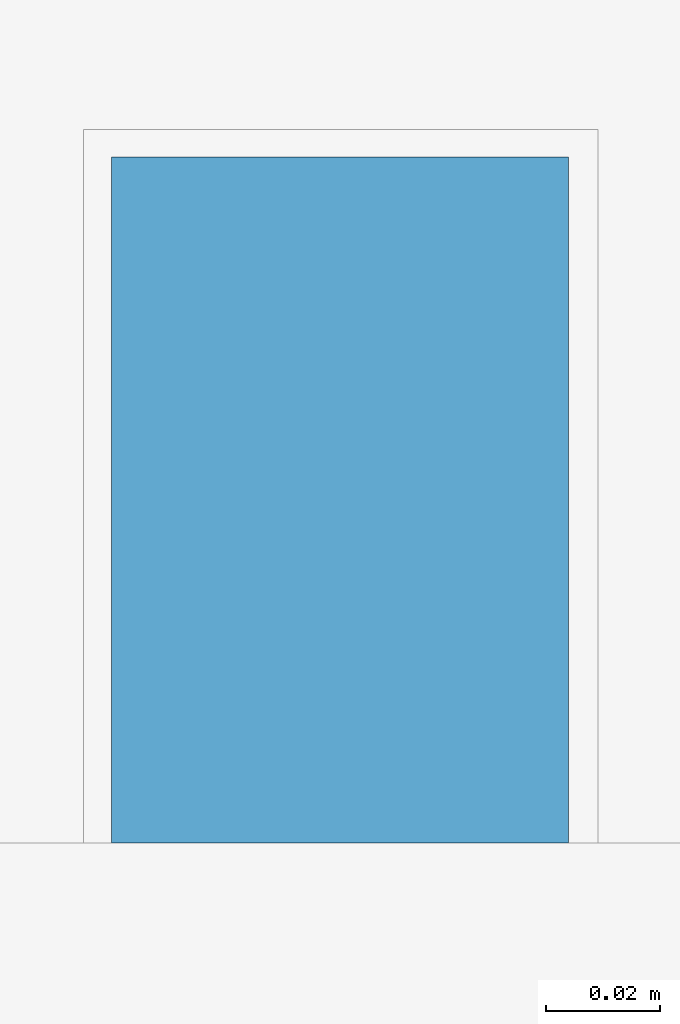
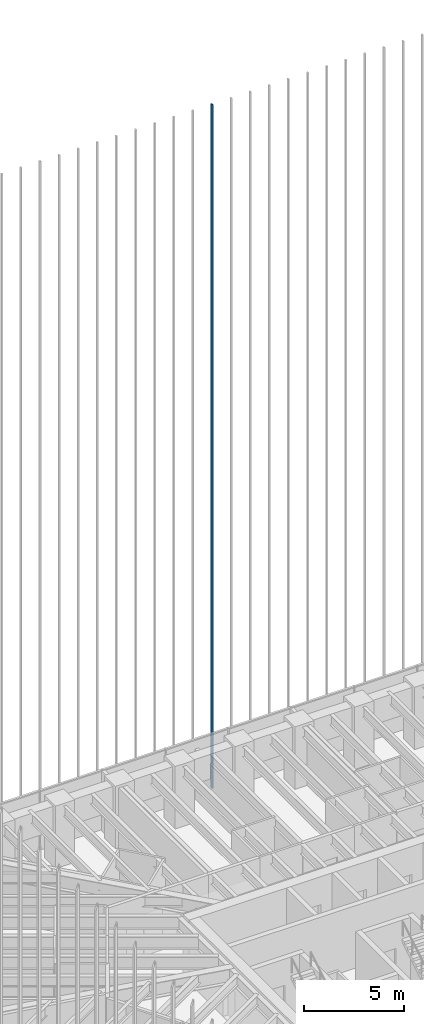
# One storey, part 88 of 127: 1 member, 1 element without a shape of its own.
"""IFC4 building model written with IfcOpenShell, lengths in metres."""

from ifc_helpers import new_model, si_unit, direction, frame, origin, origin_2d, place, context, subcontext, project, spatial, rectangle, extrude, material, material_profile, profile_set, type_object, element, aggregate, save


model = new_model("IFC4")

# Units and contexts
model_context = context("Model", 3, precision=1e-05, world=origin(), true_north=direction((0.0, 1.0)))
body_context = subcontext(model_context, "Body", "Model", "MODEL_VIEW")
ifc_project = project(units=[si_unit("LENGTHUNIT", "METRE"), si_unit("AREAUNIT", "SQUARE_METRE"), si_unit("VOLUMEUNIT", "CUBIC_METRE"), si_unit("PLANEANGLEUNIT", "RADIAN"), si_unit("MASSUNIT", "GRAM", prefix="KILO")], contexts=[model_context])

# Site, building, storey
site_placement = place(None, origin())
site = spatial("IfcSite", under=ifc_project, at=site_placement, CompositionType="ELEMENT")
building_placement = place(site_placement, origin())
building = spatial("IfcBuilding", under=site, at=building_placement, Name="Sandreach Pilgrim Tower", CompositionType="ELEMENT")
storey_placement = place(building_placement, frame((0.0, 0.0, 257.0)))
storey = spatial("IfcBuildingStorey", under=building, at=storey_placement, Name="L64", CompositionType="ELEMENT", Elevation=257.0)

# Curtain wall, member
ifc_material_1 = material(Name="Aluminium framed curtain wall", Category="aluminium")
curtain_wall_type = type_object("IfcCurtainWallType", Name="Suite tower curtain wall", PredefinedType="NOTDEFINED", material=ifc_material_1)
curtain_wall_placement = place(storey_placement, origin())
curtain_wall = element("IfcCurtainWall", 1, at=curtain_wall_placement, inside=storey, type_object=curtain_wall_type, Name="CW-4 L64 N", PredefinedType="NOTDEFINED")
ifc_material_2 = material(Name="Extruded terracotta on aluminium core", Category="masonry")
ifc_material_profile = material_profile(ifc_material_2, rectangle(XDim=0.080078125, YDim=0.1201171875, at=origin_2d()), Name="TBN 80X120")
ifc_profile_set = profile_set([ifc_material_profile], Name="Extruded terracotta on aluminium core")
member_type = type_object("IfcMemberType", Name="Terracotta baguette north", PredefinedType="USERDEFINED", material=ifc_profile_set)
member_placement = place(storey_placement, frame((1.100341796875, 20.1865234375, 0.0), z_axis=(0.0, 0.0, 1.0), x_axis=(1.0, 0.0, 0.0)))
member = element("IfcMember", 2, at=member_placement, type_object=member_type, Name="Baguette Z4 N16", ObjectType="BAGUETTE", PredefinedType="USERDEFINED", context=body_context, shape_type="SweptSolid", body=[
    extrude(rectangle(XDim=0.080078125, YDim=0.1201171875, at=origin_2d()), origin(), (0.0, 0.0, 1.0), 41.639892578125),
])
aggregate(curtain_wall, [member])

save(model, "model.ifc")
